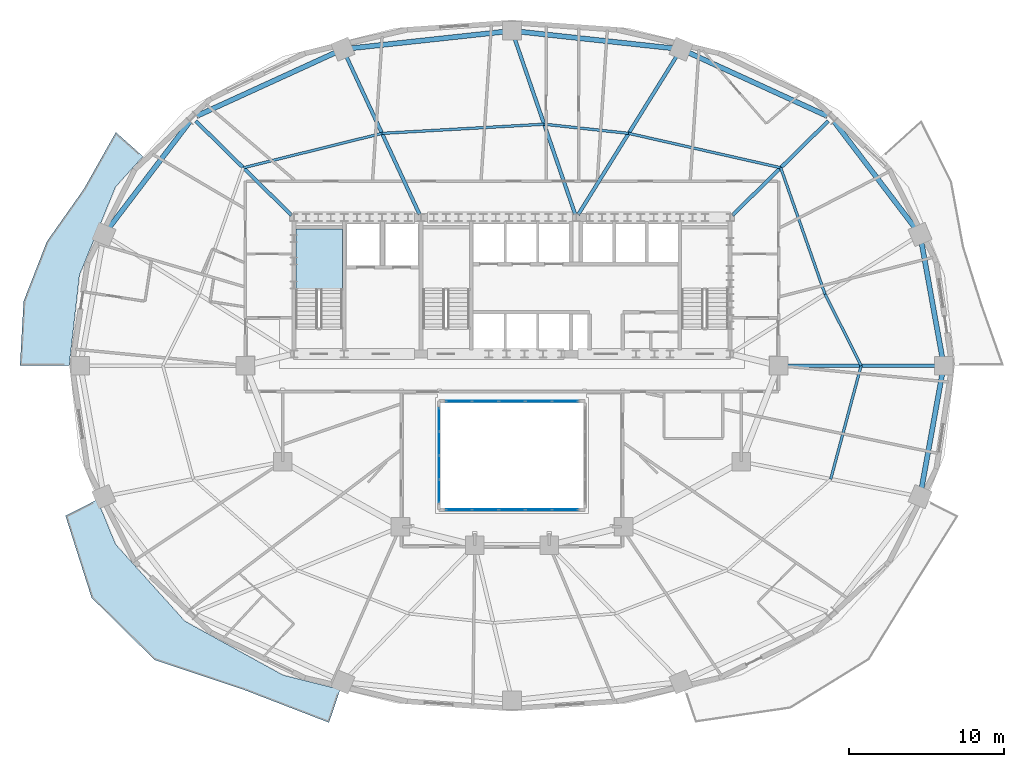
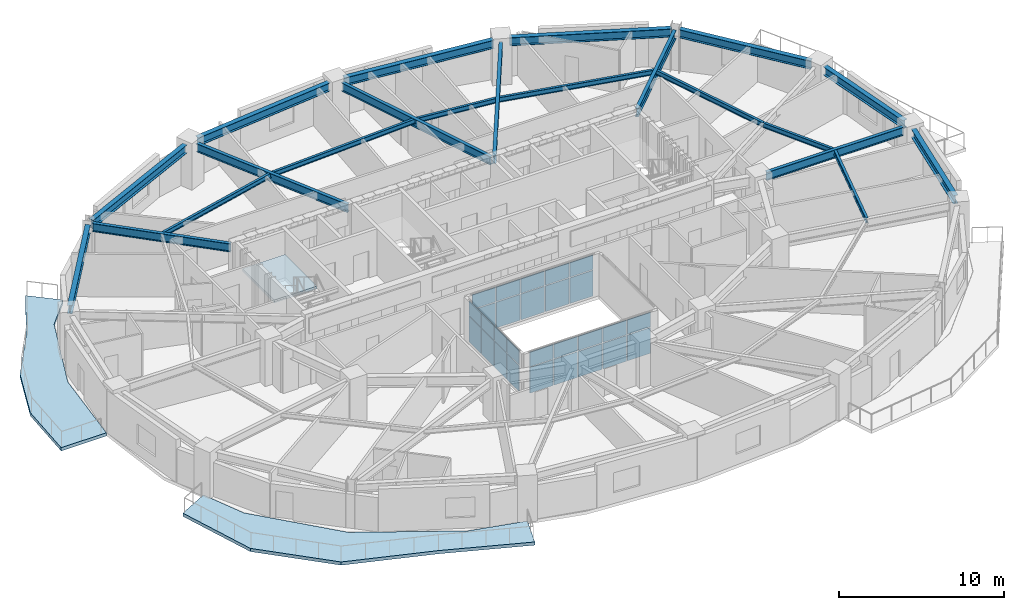
# One storey, part 5 of 14: 28 plates, 21 beams, 3 slabs, 4 elements without a shape of their own.
"""IFC4 building model written with IfcOpenShell, lengths in metres."""

from ifc_helpers import new_model, si_unit, direction, frame, origin, origin_2d, place, context, subcontext, project, spatial, polyline, rectangle, i_section, outline, extrude, material, layer, layer_set, material_profile, profile_set, type_object, element, aggregate, save


model = new_model("IFC4")

# Units and contexts
model_context = context("Model", 3, precision=1e-05, world=origin(), true_north=direction((0.0, 1.0)))
body_context = subcontext(model_context, "Body", "Model", "MODEL_VIEW")
ifc_project = project(units=[si_unit("LENGTHUNIT", "METRE"), si_unit("AREAUNIT", "SQUARE_METRE"), si_unit("VOLUMEUNIT", "CUBIC_METRE"), si_unit("PLANEANGLEUNIT", "RADIAN"), si_unit("MASSUNIT", "GRAM", prefix="KILO")], contexts=[model_context])

# Site, building, storey
site_placement = place(None, origin())
site = spatial("IfcSite", under=ifc_project, at=site_placement, CompositionType="ELEMENT")
building_placement = place(site_placement, origin())
building = spatial("IfcBuilding", under=site, at=building_placement, Name="Haldorwick Loom Tower", CompositionType="ELEMENT")
storey_placement = place(building_placement, frame((0.0, 0.0, 102.5)))
storey = spatial("IfcBuildingStorey", under=building, at=storey_placement, Name="L27", CompositionType="ELEMENT", Elevation=102.5)

# Beams
ifc_material_1 = material(Name="Steel CSA G40.21 350W", Category="steel")
ifc_material_profile_1 = material_profile(ifc_material_1, i_section(OverallWidth=0.172119140625, OverallDepth=0.35791015625, WebThickness=0.0078125, FlangeThickness=0.01318359375, at=origin_2d()), Name="W360X57", Category="steel")
ifc_profile_set_1 = profile_set([ifc_material_profile_1], Name="Steel CSA G40.21 350W")
beam_type_1 = type_object("IfcBeamType", Name="STR-BM-J360", PredefinedType="JOIST", material=ifc_profile_set_1)
beam_1_placement = place(storey_placement, frame((58.52880859375, 26.0, 2.990966796875), z_axis=(-0.451373231558, 0.892335254169, 0.0), x_axis=(-0.892335254169, -0.451373231558, 0.0)))
element("IfcBeam", 1, at=beam_1_placement, inside=storey, type_object=beam_type_1, Name="L27 Mid-Bay Secondary Joist 1", PredefinedType="JOIST", context=body_context, shape_type="SweptSolid", body=[
    extrude(i_section(OverallWidth=0.172119140625, OverallDepth=0.35791015625, WebThickness=0.0078125, FlangeThickness=0.01318359375, at=origin_2d()), origin(), (0.0, 0.0, 1.0), 5.158935546875),
])
beam_2_placement = place(storey_placement, frame((56.2001953125, 30.603515625, 2.990966796875), z_axis=(-0.330864603503, 0.943678236556, 0.0), x_axis=(-0.943678236556, -0.330864603503, 0.0)))
element("IfcBeam", 2, at=beam_2_placement, inside=storey, type_object=beam_type_1, Name="L27 Mid-Bay Secondary Joist 2", PredefinedType="JOIST", context=body_context, shape_type="SweptSolid", body=[
    extrude(i_section(OverallWidth=0.172119140625, OverallDepth=0.35791015625, WebThickness=0.0078125, FlangeThickness=0.01318359375, at=origin_2d()), origin(), (0.0, 0.0, 1.0), 8.6494140625),
])
beam_3_placement = place(storey_placement, frame((53.33837890625, 38.765869140625, 2.990966796875), z_axis=(-0.975380231772, 0.22052982444, 0.0), x_axis=(-0.22052982444, -0.975380231772, 0.0)))
element("IfcBeam", 3, at=beam_3_placement, inside=storey, type_object=beam_type_1, Name="L27 Mid-Bay Secondary Joist 3", PredefinedType="JOIST", context=body_context, shape_type="SweptSolid", body=[
    extrude(i_section(OverallWidth=0.172119140625, OverallDepth=0.35791015625, WebThickness=0.0078125, FlangeThickness=0.01318359375, at=origin_2d()), origin(), (0.0, 0.0, 1.0), 10.0576171875),
])
beam_4_placement = place(storey_placement, frame((43.5283203125, 40.98388671875, 2.990966796875), z_axis=(-0.994191869342, 0.107622148904, 0.0), x_axis=(-0.107622148904, -0.994191869342, 0.0)))
element("IfcBeam", 4, at=beam_4_placement, inside=storey, type_object=beam_type_1, Name="L27 Mid-Bay Secondary Joist 4", PredefinedType="JOIST", context=body_context, shape_type="SweptSolid", body=[
    extrude(i_section(OverallWidth=0.172119140625, OverallDepth=0.35791015625, WebThickness=0.0078125, FlangeThickness=0.01318359375, at=origin_2d()), origin(), (0.0, 0.0, 1.0), 5.485107421875),
])
beam_5_placement = place(storey_placement, frame((38.074951171875, 41.57421875, 2.990966796875), z_axis=(-0.998412171013, -0.056330602457, 0.0), x_axis=(0.056330602457, -0.998412171013, 0.0)))
element("IfcBeam", 5, at=beam_5_placement, inside=storey, type_object=beam_type_1, Name="L27 Mid-Bay Secondary Joist 5", PredefinedType="JOIST", context=body_context, shape_type="SweptSolid", body=[
    extrude(i_section(OverallWidth=0.172119140625, OverallDepth=0.35791015625, WebThickness=0.0078125, FlangeThickness=0.01318359375, at=origin_2d()), origin(), (0.0, 0.0, 1.0), 10.479736328125),
])
beam_6_placement = place(storey_placement, frame((27.61181640625, 40.98388671875, 2.990966796875), z_axis=(-0.970638838364, -0.240541567009, 0.0), x_axis=(0.240541567009, -0.970638838364, 0.0)))
element("IfcBeam", 6, at=beam_6_placement, inside=storey, type_object=beam_type_1, Name="L27 Mid-Bay Secondary Joist 6", PredefinedType="JOIST", context=body_context, shape_type="SweptSolid", body=[
    extrude(i_section(OverallWidth=0.172119140625, OverallDepth=0.35791015625, WebThickness=0.0078125, FlangeThickness=0.01318359375, at=origin_2d()), origin(), (0.0, 0.0, 1.0), 9.220947265625),
])
beam_7_placement = place(storey_placement, frame((56.565185546875, 18.67138671875, 2.990966796875), z_axis=(0.258810072536, 0.965928230436, 0.0), x_axis=(-0.965928230436, 0.258810072536, 0.0)))
element("IfcBeam", 7, at=beam_7_placement, inside=storey, type_object=beam_type_1, Name="L27 Mid-Bay Secondary Joist 16", PredefinedType="JOIST", context=body_context, shape_type="SweptSolid", body=[
    extrude(i_section(OverallWidth=0.172119140625, OverallDepth=0.35791015625, WebThickness=0.0078125, FlangeThickness=0.01318359375, at=origin_2d()), origin(), (0.0, 0.0, 1.0), 7.587158203125),
])
ifc_material_profile_2 = material_profile(ifc_material_1, i_section(OverallWidth=0.324951171875, OverallDepth=0.615966796875, WebThickness=0.013916015625, FlangeThickness=0.021484375, at=origin_2d()), Name="W610X174", Category="steel")
ifc_profile_set_2 = profile_set([ifc_material_profile_2], Name="Steel CSA G40.21 350W")
beam_type_2 = type_object("IfcBeamType", Name="STR-BM-SP610", PredefinedType="SPANDREL", material=ifc_profile_set_2)
beam_8_placement = place(storey_placement, frame((63.76513671875, 26.51171875, 2.862060546875), z_axis=(-0.177659490888, 0.984092020747, 0.0), x_axis=(-0.984092020747, -0.177659490888, 0.0)))
element("IfcBeam", 8, at=beam_8_placement, inside=storey, type_object=beam_type_2, Name="L27 Perimeter Spandrel 1", PredefinedType="SPANDREL", context=body_context, shape_type="SweptSolid", body=[
    extrude(i_section(OverallWidth=0.324951171875, OverallDepth=0.615966796875, WebThickness=0.013916015625, FlangeThickness=0.021484375, at=origin_2d()), origin(), (0.0, 0.0, 1.0), 7.553955078125),
])
beam_9_placement = place(storey_placement, frame((62.015869140625, 34.87109375, 2.862060546875), z_axis=(-0.605453508047, 0.795880675475, 0.0), x_axis=(-0.795880675475, -0.605453508047, 0.0)))
element("IfcBeam", 9, at=beam_9_placement, inside=storey, type_object=beam_type_2, Name="L27 Perimeter Spandrel 2", PredefinedType="SPANDREL", context=body_context, shape_type="SweptSolid", body=[
    extrude(i_section(OverallWidth=0.324951171875, OverallDepth=0.615966796875, WebThickness=0.013916015625, FlangeThickness=0.021484375, at=origin_2d()), origin(), (0.0, 0.0, 1.0), 8.6591796875),
])
beam_10_placement = place(storey_placement, frame((56.356689453125, 42.09619140625, 2.862060546875), z_axis=(-0.909423969306, 0.415870225011, 0.0), x_axis=(-0.415870225011, -0.909423969306, 0.0)))
element("IfcBeam", 10, at=beam_10_placement, inside=storey, type_object=beam_type_2, Name="L27 Perimeter Spandrel 3", PredefinedType="SPANDREL", context=body_context, shape_type="SweptSolid", body=[
    extrude(i_section(OverallWidth=0.324951171875, OverallDepth=0.615966796875, WebThickness=0.013916015625, FlangeThickness=0.021484375, at=origin_2d()), origin(), (0.0, 0.0, 1.0), 9.871337890625),
])
for number, where, z_axis, x_axis, name in (
    (11, (46.389404296875, 46.4736328125, 2.862060546875), (-0.994190135627, 0.107638163409, 0.0), (-0.107638163409, -0.994190135627, 0.0), "L27 Perimeter Spandrel 4"),
    (12, (35.48291015625, 47.54248046875, 2.862060546875), (-0.994190135627, -0.107638163409, 0.0), (0.107638163409, -0.994190135627, 0.0), "L27 Perimeter Spandrel 5"),
):
    element("IfcBeam", number, at=place(storey_placement, frame(where, z_axis=z_axis, x_axis=x_axis)), inside=storey, type_object=beam_type_2, Name=name, PredefinedType="SPANDREL", context=body_context, shape_type="SweptSolid", body=[
        extrude(i_section(OverallWidth=0.324951171875, OverallDepth=0.615966796875, WebThickness=0.013916015625, FlangeThickness=0.021484375, at=origin_2d()), origin(), (0.0, 0.0, 1.0), 9.929931640625),
    ])
beam_11_placement = place(storey_placement, frame((24.62060546875, 46.201416015625, 2.862060546875), z_axis=(-0.909423969306, -0.415870225011, 0.0), x_axis=(0.415870225011, -0.909423969306, 0.0)))
element("IfcBeam", 13, at=beam_11_placement, inside=storey, type_object=beam_type_2, Name="L27 Perimeter Spandrel 6", PredefinedType="SPANDREL", context=body_context, shape_type="SweptSolid", body=[
    extrude(i_section(OverallWidth=0.324951171875, OverallDepth=0.615966796875, WebThickness=0.013916015625, FlangeThickness=0.021484375, at=origin_2d()), origin(), (0.0, 0.0, 1.0), 9.871337890625),
])
beam_12_placement = place(storey_placement, frame((15.226806640625, 41.7626953125, 2.862060546875), z_axis=(-0.605453508047, -0.795880675475, 0.0), x_axis=(0.795880675475, -0.605453508047, 0.0)))
element("IfcBeam", 14, at=beam_12_placement, inside=storey, type_object=beam_type_2, Name="L27 Perimeter Spandrel 7", PredefinedType="SPANDREL", context=body_context, shape_type="SweptSolid", body=[
    extrude(i_section(OverallWidth=0.324951171875, OverallDepth=0.615966796875, WebThickness=0.013916015625, FlangeThickness=0.021484375, at=origin_2d()), origin(), (0.0, 0.0, 1.0), 8.6591796875),
])
beam_13_placement = place(storey_placement, frame((62.423095703125, 18.054443359375, 2.862060546875), z_axis=(0.177659490888, 0.984092020747, 0.0), x_axis=(-0.984092020747, 0.177659490888, 0.0)))
element("IfcBeam", 15, at=beam_13_placement, inside=storey, type_object=beam_type_2, Name="L27 Perimeter Spandrel 16", PredefinedType="SPANDREL", context=body_context, shape_type="SweptSolid", body=[
    extrude(i_section(OverallWidth=0.324951171875, OverallDepth=0.615966796875, WebThickness=0.013916015625, FlangeThickness=0.021484375, at=origin_2d()), origin(), (0.0, 0.0, 1.0), 7.553955078125),
])
ifc_material_profile_3 = material_profile(ifc_material_1, i_section(OverallWidth=0.22998046875, OverallDepth=0.616943359375, WebThickness=0.01318359375, FlangeThickness=0.022216796875, at=origin_2d()), Name="W610X140", Category="steel")
ifc_profile_set_3 = profile_set([ifc_material_profile_3], Name="Steel CSA G40.21 350W")
beam_type_3 = type_object("IfcBeamType", Name="STR-BM-W610B", PredefinedType="BEAM", material=ifc_profile_set_3)
beam_14_placement = place(storey_placement, frame((53.719970703125, 26.0, 2.861572265625), z_axis=(1.0, 0.0, 0.0), x_axis=(0.0, 1.0, 0.0)))
element("IfcBeam", 16, at=beam_14_placement, inside=storey, type_object=beam_type_3, Name="L27 Radial Floor Girder 1", PredefinedType="BEAM", context=body_context, shape_type="SweptSolid", body=[
    extrude(i_section(OverallWidth=0.22998046875, OverallDepth=0.616943359375, WebThickness=0.01318359375, FlangeThickness=0.022216796875, at=origin_2d()), origin(), (0.0, 0.0, 1.0), 9.61767578125),
])
beam_15_placement = place(storey_placement, frame((50.23046875, 35.707763671875, 2.861572265625), z_axis=(0.712813667541, 0.701353459653, 0.0), x_axis=(-0.701353459653, 0.712813667541, 0.0)))
element("IfcBeam", 17, at=beam_15_placement, inside=storey, type_object=beam_type_3, Name="L27 Radial Floor Girder 3", PredefinedType="BEAM", context=body_context, shape_type="SweptSolid", body=[
    extrude(i_section(OverallWidth=0.22998046875, OverallDepth=0.616943359375, WebThickness=0.01318359375, FlangeThickness=0.022216796875, at=origin_2d()), origin(), (0.0, 0.0, 1.0), 8.67041015625),
])
beam_16_placement = place(storey_placement, frame((40.268798828125, 35.7412109375, 2.861572265625), z_axis=(0.527983484361, 0.849254638046, 0.0), x_axis=(-0.849254638046, 0.527983484361, 0.0)))
element("IfcBeam", 18, at=beam_16_placement, inside=storey, type_object=beam_type_3, Name="L27 Radial Floor Girder 4", PredefinedType="BEAM", context=body_context, shape_type="SweptSolid", body=[
    extrude(i_section(OverallWidth=0.22998046875, OverallDepth=0.616943359375, WebThickness=0.01318359375, FlangeThickness=0.022216796875, at=origin_2d()), origin(), (0.0, 0.0, 1.0), 12.051513671875),
])
beam_17_placement = place(storey_placement, frame((40.07666015625, 35.7626953125, 2.861572265625), z_axis=(-0.325673980289, 0.945482130218, 0.0), x_axis=(-0.945482130218, -0.325673980289, 0.0)))
element("IfcBeam", 19, at=beam_17_placement, inside=storey, type_object=beam_type_3, Name="L27 Radial Floor Girder 5", PredefinedType="BEAM", context=body_context, shape_type="SweptSolid", body=[
    extrude(i_section(OverallWidth=0.22998046875, OverallDepth=0.616943359375, WebThickness=0.01318359375, FlangeThickness=0.022216796875, at=origin_2d()), origin(), (0.0, 0.0, 1.0), 11.998046875),
])
beam_18_placement = place(storey_placement, frame((30.035400390625, 35.754150390625, 2.861572265625), z_axis=(-0.420492432459, 0.907296045536, 0.0), x_axis=(-0.907296045536, -0.420492432459, 0.0)))
element("IfcBeam", 20, at=beam_18_placement, inside=storey, type_object=beam_type_3, Name="L27 Radial Floor Girder 6", PredefinedType="BEAM", context=body_context, shape_type="SweptSolid", body=[
    extrude(i_section(OverallWidth=0.22998046875, OverallDepth=0.616943359375, WebThickness=0.01318359375, FlangeThickness=0.022216796875, at=origin_2d()), origin(), (0.0, 0.0, 1.0), 11.23291015625),
])
beam_19_placement = place(storey_placement, frame((21.76953125, 35.707763671875, 2.861572265625), z_axis=(-0.712813667541, 0.701353459653, 0.0), x_axis=(-0.701353459653, -0.712813667541, 0.0)))
element("IfcBeam", 21, at=beam_19_placement, inside=storey, type_object=beam_type_3, Name="L27 Radial Floor Girder 7", PredefinedType="BEAM", context=body_context, shape_type="SweptSolid", body=[
    extrude(i_section(OverallWidth=0.22998046875, OverallDepth=0.616943359375, WebThickness=0.01318359375, FlangeThickness=0.022216796875, at=origin_2d()), origin(), (0.0, 0.0, 1.0), 8.67041015625),
])

# Curtain wall, plates
ifc_material_2 = material(Name="Thermally Broken Anodized Aluminium Curtain Wall Framing", Category="aluminium")
curtain_wall_type = type_object("IfcCurtainWallType", Name="ARC-CW-03", PredefinedType="NOTDEFINED", material=ifc_material_2)
curtain_wall_1_placement = place(storey_placement, origin())
curtain_wall_1 = element("IfcCurtainWall", 22, at=curtain_wall_1_placement, inside=storey, type_object=curtain_wall_type, Name="L27 Atrium Glazed Screen S", PredefinedType="NOTDEFINED")
ifc_material_3 = material(Name="Triple-Glazed Low-E Argon Insulated Glazing Unit", Category="glass")
ifc_layer_1 = layer(ifc_material_3, 0.04296875, Name="Triple-Glazed Low-E Argon Insulated Glazing Unit", Category="glass")
ifc_layer_set_1 = layer_set([ifc_layer_1], Name="Triple-Glazed Low-E Argon Insulated Glazing Unit")
plate_type = type_object("IfcPlateType", Name="ARC-CWP-03", PredefinedType="CURTAIN_PANEL", material=ifc_layer_set_1)
plate_1_placement = place(storey_placement, frame((39.423583984375, 16.699951171875, 0.066162109375), z_axis=(0.0, 0.0, 1.0), x_axis=(-1.0, 0.0, 0.0)))
plate_1 = element("IfcPlate", 23, at=plate_1_placement, type_object=plate_type, Name="CW-03 panel 1.1", PredefinedType="CURTAIN_PANEL", context=body_context, shape_type="SweptSolid", body=[
    extrude(rectangle(XDim=1.62109375, YDim=0.04296875, at=origin_2d()), origin(), (0.0, 0.0, 1.0), 1.90087890625),
])
plate_2_placement = place(storey_placement, frame((39.423583984375, 16.699951171875, 2.033203125), z_axis=(0.0, 0.0, 1.0), x_axis=(-1.0, 0.0, 0.0)))
plate_2 = element("IfcPlate", 24, at=plate_2_placement, type_object=plate_type, Name="CW-03 panel 1.2", PredefinedType="CURTAIN_PANEL", context=body_context, shape_type="SweptSolid", body=[
    extrude(rectangle(XDim=1.62109375, YDim=0.04296875, at=origin_2d()), origin(), (0.0, 0.0, 1.0), 1.071044921875),
])
plate_3_placement = place(storey_placement, frame((37.719970703125, 16.699951171875, 0.066162109375), z_axis=(0.0, 0.0, 1.0), x_axis=(-1.0, 0.0, 0.0)))
plate_3 = element("IfcPlate", 25, at=plate_3_placement, type_object=plate_type, Name="CW-03 panel 2.1", PredefinedType="CURTAIN_PANEL", context=body_context, shape_type="SweptSolid", body=[
    extrude(rectangle(XDim=1.654052734375, YDim=0.04296875, at=origin_2d()), origin(), (0.0, 0.0, 1.0), 1.90087890625),
])
plate_4_placement = place(storey_placement, frame((37.719970703125, 16.699951171875, 2.033203125), z_axis=(0.0, 0.0, 1.0), x_axis=(-1.0, 0.0, 0.0)))
plate_4 = element("IfcPlate", 26, at=plate_4_placement, type_object=plate_type, Name="CW-03 panel 2.2", PredefinedType="CURTAIN_PANEL", context=body_context, shape_type="SweptSolid", body=[
    extrude(rectangle(XDim=1.654052734375, YDim=0.04296875, at=origin_2d()), origin(), (0.0, 0.0, 1.0), 1.071044921875),
])
plate_5_placement = place(storey_placement, frame((36.0, 16.699951171875, 0.066162109375), z_axis=(0.0, 0.0, 1.0), x_axis=(-1.0, 0.0, 0.0)))
plate_5 = element("IfcPlate", 27, at=plate_5_placement, type_object=plate_type, Name="CW-03 panel 3.1", PredefinedType="CURTAIN_PANEL", context=body_context, shape_type="SweptSolid", body=[
    extrude(rectangle(XDim=1.654052734375, YDim=0.04296875, at=origin_2d()), origin(), (0.0, 0.0, 1.0), 1.90087890625),
])
plate_6_placement = place(storey_placement, frame((36.0, 16.699951171875, 2.033203125), z_axis=(0.0, 0.0, 1.0), x_axis=(-1.0, 0.0, 0.0)))
plate_6 = element("IfcPlate", 28, at=plate_6_placement, type_object=plate_type, Name="CW-03 panel 3.2", PredefinedType="CURTAIN_PANEL", context=body_context, shape_type="SweptSolid", body=[
    extrude(rectangle(XDim=1.654052734375, YDim=0.04296875, at=origin_2d()), origin(), (0.0, 0.0, 1.0), 1.071044921875),
])
plate_7_placement = place(storey_placement, frame((34.280029296875, 16.699951171875, 0.066162109375), z_axis=(0.0, 0.0, 1.0), x_axis=(-1.0, 0.0, 0.0)))
plate_7 = element("IfcPlate", 29, at=plate_7_placement, type_object=plate_type, Name="CW-03 panel 4.1", PredefinedType="CURTAIN_PANEL", context=body_context, shape_type="SweptSolid", body=[
    extrude(rectangle(XDim=1.654052734375, YDim=0.04296875, at=origin_2d()), origin(), (0.0, 0.0, 1.0), 1.90087890625),
])
plate_8_placement = place(storey_placement, frame((34.280029296875, 16.699951171875, 2.033203125), z_axis=(0.0, 0.0, 1.0), x_axis=(-1.0, 0.0, 0.0)))
plate_8 = element("IfcPlate", 30, at=plate_8_placement, type_object=plate_type, Name="CW-03 panel 4.2", PredefinedType="CURTAIN_PANEL", context=body_context, shape_type="SweptSolid", body=[
    extrude(rectangle(XDim=1.654052734375, YDim=0.04296875, at=origin_2d()), origin(), (0.0, 0.0, 1.0), 1.071044921875),
])
plate_9_placement = place(storey_placement, frame((32.576416015625, 16.699951171875, 0.066162109375), z_axis=(0.0, 0.0, 1.0), x_axis=(-1.0, 0.0, 0.0)))
plate_9 = element("IfcPlate", 31, at=plate_9_placement, type_object=plate_type, Name="CW-03 panel 5.1", PredefinedType="CURTAIN_PANEL", context=body_context, shape_type="SweptSolid", body=[
    extrude(rectangle(XDim=1.62109375, YDim=0.04296875, at=origin_2d()), origin(), (0.0, 0.0, 1.0), 1.90087890625),
])
plate_10_placement = place(storey_placement, frame((32.576416015625, 16.699951171875, 2.033203125), z_axis=(0.0, 0.0, 1.0), x_axis=(-1.0, 0.0, 0.0)))
plate_10 = element("IfcPlate", 32, at=plate_10_placement, type_object=plate_type, Name="CW-03 panel 5.2", PredefinedType="CURTAIN_PANEL", context=body_context, shape_type="SweptSolid", body=[
    extrude(rectangle(XDim=1.62109375, YDim=0.04296875, at=origin_2d()), origin(), (0.0, 0.0, 1.0), 1.071044921875),
])
aggregate(curtain_wall_1, [plate_1, plate_2, plate_3, plate_4, plate_5, plate_6, plate_7, plate_8, plate_9, plate_10])

curtain_wall_2_placement = place(storey_placement, origin())
curtain_wall_2 = element("IfcCurtainWall", 33, at=curtain_wall_2_placement, inside=storey, type_object=curtain_wall_type, Name="L27 Atrium Glazed Screen N", PredefinedType="NOTDEFINED")
plate_11_placement = place(storey_placement, frame((32.576416015625, 23.699951171875, 0.066162109375), z_axis=(0.0, 0.0, 1.0), x_axis=(1.0, 0.0, 0.0)))
plate_11 = element("IfcPlate", 34, at=plate_11_placement, type_object=plate_type, Name="CW-03 panel 1.1", PredefinedType="CURTAIN_PANEL", context=body_context, shape_type="SweptSolid", body=[
    extrude(rectangle(XDim=1.62109375, YDim=0.04296875, at=origin_2d()), origin(), (0.0, 0.0, 1.0), 1.90087890625),
])
plate_12_placement = place(storey_placement, frame((32.576416015625, 23.699951171875, 2.033203125), z_axis=(0.0, 0.0, 1.0), x_axis=(1.0, 0.0, 0.0)))
plate_12 = element("IfcPlate", 35, at=plate_12_placement, type_object=plate_type, Name="CW-03 panel 1.2", PredefinedType="CURTAIN_PANEL", context=body_context, shape_type="SweptSolid", body=[
    extrude(rectangle(XDim=1.62109375, YDim=0.04296875, at=origin_2d()), origin(), (0.0, 0.0, 1.0), 1.071044921875),
])
plate_13_placement = place(storey_placement, frame((34.280029296875, 23.699951171875, 0.066162109375), z_axis=(0.0, 0.0, 1.0), x_axis=(1.0, 0.0, 0.0)))
plate_13 = element("IfcPlate", 36, at=plate_13_placement, type_object=plate_type, Name="CW-03 panel 2.1", PredefinedType="CURTAIN_PANEL", context=body_context, shape_type="SweptSolid", body=[
    extrude(rectangle(XDim=1.654052734375, YDim=0.04296875, at=origin_2d()), origin(), (0.0, 0.0, 1.0), 1.90087890625),
])
plate_14_placement = place(storey_placement, frame((34.280029296875, 23.699951171875, 2.033203125), z_axis=(0.0, 0.0, 1.0), x_axis=(1.0, 0.0, 0.0)))
plate_14 = element("IfcPlate", 37, at=plate_14_placement, type_object=plate_type, Name="CW-03 panel 2.2", PredefinedType="CURTAIN_PANEL", context=body_context, shape_type="SweptSolid", body=[
    extrude(rectangle(XDim=1.654052734375, YDim=0.04296875, at=origin_2d()), origin(), (0.0, 0.0, 1.0), 1.071044921875),
])
plate_15_placement = place(storey_placement, frame((36.0, 23.699951171875, 0.066162109375), z_axis=(0.0, 0.0, 1.0), x_axis=(1.0, 0.0, 0.0)))
plate_15 = element("IfcPlate", 38, at=plate_15_placement, type_object=plate_type, Name="CW-03 panel 3.1", PredefinedType="CURTAIN_PANEL", context=body_context, shape_type="SweptSolid", body=[
    extrude(rectangle(XDim=1.654052734375, YDim=0.04296875, at=origin_2d()), origin(), (0.0, 0.0, 1.0), 1.90087890625),
])
plate_16_placement = place(storey_placement, frame((36.0, 23.699951171875, 2.033203125), z_axis=(0.0, 0.0, 1.0), x_axis=(1.0, 0.0, 0.0)))
plate_16 = element("IfcPlate", 39, at=plate_16_placement, type_object=plate_type, Name="CW-03 panel 3.2", PredefinedType="CURTAIN_PANEL", context=body_context, shape_type="SweptSolid", body=[
    extrude(rectangle(XDim=1.654052734375, YDim=0.04296875, at=origin_2d()), origin(), (0.0, 0.0, 1.0), 1.071044921875),
])
plate_17_placement = place(storey_placement, frame((37.719970703125, 23.699951171875, 0.066162109375), z_axis=(0.0, 0.0, 1.0), x_axis=(1.0, 0.0, 0.0)))
plate_17 = element("IfcPlate", 40, at=plate_17_placement, type_object=plate_type, Name="CW-03 panel 4.1", PredefinedType="CURTAIN_PANEL", context=body_context, shape_type="SweptSolid", body=[
    extrude(rectangle(XDim=1.654052734375, YDim=0.04296875, at=origin_2d()), origin(), (0.0, 0.0, 1.0), 1.90087890625),
])
plate_18_placement = place(storey_placement, frame((37.719970703125, 23.699951171875, 2.033203125), z_axis=(0.0, 0.0, 1.0), x_axis=(1.0, 0.0, 0.0)))
plate_18 = element("IfcPlate", 41, at=plate_18_placement, type_object=plate_type, Name="CW-03 panel 4.2", PredefinedType="CURTAIN_PANEL", context=body_context, shape_type="SweptSolid", body=[
    extrude(rectangle(XDim=1.654052734375, YDim=0.04296875, at=origin_2d()), origin(), (0.0, 0.0, 1.0), 1.071044921875),
])
plate_19_placement = place(storey_placement, frame((39.423583984375, 23.699951171875, 0.066162109375), z_axis=(0.0, 0.0, 1.0), x_axis=(1.0, 0.0, 0.0)))
plate_19 = element("IfcPlate", 42, at=plate_19_placement, type_object=plate_type, Name="CW-03 panel 5.1", PredefinedType="CURTAIN_PANEL", context=body_context, shape_type="SweptSolid", body=[
    extrude(rectangle(XDim=1.62109375, YDim=0.04296875, at=origin_2d()), origin(), (0.0, 0.0, 1.0), 1.90087890625),
])
plate_20_placement = place(storey_placement, frame((39.423583984375, 23.699951171875, 2.033203125), z_axis=(0.0, 0.0, 1.0), x_axis=(1.0, 0.0, 0.0)))
plate_20 = element("IfcPlate", 43, at=plate_20_placement, type_object=plate_type, Name="CW-03 panel 5.2", PredefinedType="CURTAIN_PANEL", context=body_context, shape_type="SweptSolid", body=[
    extrude(rectangle(XDim=1.62109375, YDim=0.04296875, at=origin_2d()), origin(), (0.0, 0.0, 1.0), 1.071044921875),
])
aggregate(curtain_wall_2, [plate_11, plate_12, plate_13, plate_14, plate_15, plate_16, plate_17, plate_18, plate_19, plate_20])

curtain_wall_3_placement = place(storey_placement, origin())
curtain_wall_3 = element("IfcCurtainWall", 44, at=curtain_wall_3_placement, inside=storey, type_object=curtain_wall_type, Name="L27 Atrium Glazed Screen W", PredefinedType="NOTDEFINED")
plate_21_placement = place(storey_placement, frame((31.300048828125, 17.8916015625, 0.066162109375), z_axis=(0.0, 0.0, 1.0), x_axis=(0.0, 1.0, 0.0)))
plate_21 = element("IfcPlate", 45, at=plate_21_placement, type_object=plate_type, Name="CW-03 panel 1.1", PredefinedType="CURTAIN_PANEL", context=body_context, shape_type="SweptSolid", body=[
    extrude(rectangle(XDim=1.450927734375, YDim=0.04296875, at=origin_2d()), origin(), (0.0, 0.0, 1.0), 1.90087890625),
])
plate_22_placement = place(storey_placement, frame((31.300048828125, 17.8916015625, 2.033203125), z_axis=(0.0, 0.0, 1.0), x_axis=(0.0, 1.0, 0.0)))
plate_22 = element("IfcPlate", 46, at=plate_22_placement, type_object=plate_type, Name="CW-03 panel 1.2", PredefinedType="CURTAIN_PANEL", context=body_context, shape_type="SweptSolid", body=[
    extrude(rectangle(XDim=1.450927734375, YDim=0.04296875, at=origin_2d()), origin(), (0.0, 0.0, 1.0), 1.071044921875),
])
plate_23_placement = place(storey_placement, frame((31.300048828125, 19.425048828125, 0.066162109375), z_axis=(0.0, 0.0, 1.0), x_axis=(0.0, 1.0, 0.0)))
plate_23 = element("IfcPlate", 47, at=plate_23_placement, type_object=plate_type, Name="CW-03 panel 2.1", PredefinedType="CURTAIN_PANEL", context=body_context, shape_type="SweptSolid", body=[
    extrude(rectangle(XDim=1.48388671875, YDim=0.04296875, at=origin_2d()), origin(), (0.0, 0.0, 1.0), 1.90087890625),
])
plate_24_placement = place(storey_placement, frame((31.300048828125, 19.425048828125, 2.033203125), z_axis=(0.0, 0.0, 1.0), x_axis=(0.0, 1.0, 0.0)))
plate_24 = element("IfcPlate", 48, at=plate_24_placement, type_object=plate_type, Name="CW-03 panel 2.2", PredefinedType="CURTAIN_PANEL", context=body_context, shape_type="SweptSolid", body=[
    extrude(rectangle(XDim=1.48388671875, YDim=0.04296875, at=origin_2d()), origin(), (0.0, 0.0, 1.0), 1.071044921875),
])
plate_25_placement = place(storey_placement, frame((31.300048828125, 20.97509765625, 0.066162109375), z_axis=(0.0, 0.0, 1.0), x_axis=(0.0, 1.0, 0.0)))
plate_25 = element("IfcPlate", 49, at=plate_25_placement, type_object=plate_type, Name="CW-03 panel 3.1", PredefinedType="CURTAIN_PANEL", context=body_context, shape_type="SweptSolid", body=[
    extrude(rectangle(XDim=1.48388671875, YDim=0.04296875, at=origin_2d()), origin(), (0.0, 0.0, 1.0), 1.90087890625),
])
plate_26_placement = place(storey_placement, frame((31.300048828125, 20.97509765625, 2.033203125), z_axis=(0.0, 0.0, 1.0), x_axis=(0.0, 1.0, 0.0)))
plate_26 = element("IfcPlate", 50, at=plate_26_placement, type_object=plate_type, Name="CW-03 panel 3.2", PredefinedType="CURTAIN_PANEL", context=body_context, shape_type="SweptSolid", body=[
    extrude(rectangle(XDim=1.48388671875, YDim=0.04296875, at=origin_2d()), origin(), (0.0, 0.0, 1.0), 1.071044921875),
])
plate_27_placement = place(storey_placement, frame((31.300048828125, 22.508544921875, 0.066162109375), z_axis=(0.0, 0.0, 1.0), x_axis=(0.0, 1.0, 0.0)))
plate_27 = element("IfcPlate", 51, at=plate_27_placement, type_object=plate_type, Name="CW-03 panel 4.1", PredefinedType="CURTAIN_PANEL", context=body_context, shape_type="SweptSolid", body=[
    extrude(rectangle(XDim=1.450927734375, YDim=0.04296875, at=origin_2d()), origin(), (0.0, 0.0, 1.0), 1.90087890625),
])
plate_28_placement = place(storey_placement, frame((31.300048828125, 22.508544921875, 2.033203125), z_axis=(0.0, 0.0, 1.0), x_axis=(0.0, 1.0, 0.0)))
plate_28 = element("IfcPlate", 52, at=plate_28_placement, type_object=plate_type, Name="CW-03 panel 4.2", PredefinedType="CURTAIN_PANEL", context=body_context, shape_type="SweptSolid", body=[
    extrude(rectangle(XDim=1.450927734375, YDim=0.04296875, at=origin_2d()), origin(), (0.0, 0.0, 1.0), 1.071044921875),
])
aggregate(curtain_wall_3, [plate_21, plate_22, plate_23, plate_24, plate_25, plate_26, plate_27, plate_28])

# Slabs
ifc_material_4 = material(Name="Concrete C40 (40 MPa)", Category="concrete")
ifc_layer_2 = layer(ifc_material_4, 0.239990234375, Name="Concrete C40 (40 MPa)", Category="concrete")
ifc_layer_set_2 = layer_set([ifc_layer_2], Name="Concrete C40 (40 MPa)")
slab_type_1 = type_object("IfcSlabType", Name="STR-SLB-BAL240", PredefinedType="FLOOR", material=ifc_layer_set_2)
slab_1_placement = place(storey_placement, frame((0.0, 0.0, -0.239990234375)))
element("IfcSlab", 53, at=slab_1_placement, inside=storey, type_object=slab_type_1, Name="L27 Sinusoidal Balcony Terrace BAL_SW", PredefinedType="FLOOR", context=body_context, shape_type="SweptSolid", body=[
    extrude(outline(polyline([(24.91259765625, 5.105224609375), (21.23583984375, 6.022705078125), (21.234619140625, 6.023193359375), (21.2333984375, 6.023681640625), (21.232177734375, 6.0244140625), (14.89111328125, 9.51025390625), (14.8896484375, 9.510986328125), (14.88818359375, 9.51220703125), (14.88720703125, 9.51318359375), (10.4228515625, 14.464599609375), (10.421875, 14.465576171875), (10.421142578125, 14.466552734375), (10.420654296875, 14.4677734375), (10.419921875, 14.468994140625), (9.2412109375, 17.34912109375), (7.192626953125, 16.303955078125), (8.8740234375, 11.02294921875), (12.93603515625, 7.01025390625), (18.6640625, 5.097412109375), (24.18798828125, 2.964599609375), (24.91259765625, 5.105224609375)])), origin(), (0.0, 0.0, 1.0), 0.239990234375),
])
slab_2_placement = place(storey_placement, frame((0.0, 0.0, -0.239990234375)))
element("IfcSlab", 54, at=slab_2_placement, inside=storey, type_object=slab_type_1, Name="L27 Sinusoidal Balcony Terrace BAL_WNW", PredefinedType="FLOOR", context=body_context, shape_type="SweptSolid", body=[
    extrude(outline(polyline([(7.427490234375, 26.0), (7.427490234375, 26.001708984375), (8.09033203125, 31.837890625), (8.090576171875, 31.83935546875), (8.0908203125, 31.840576171875), (8.09130859375, 31.841796875), (10.419921875, 37.531005859375), (10.420654296875, 37.5322265625), (10.421142578125, 37.533447265625), (10.421875, 37.534423828125), (10.4228515625, 37.535400390625), (12.186279296875, 39.4912109375), (10.439697265625, 41.05126953125), (8.35986328125, 37.364990234375), (5.98974609375, 34.008056640625), (4.48779296875, 30.1494140625), (4.25390625, 26.0), (7.427490234375, 26.0)])), origin(), (0.0, 0.0, 1.0), 0.239990234375),
])

# Stair, slab
stair_type = type_object("IfcStairType", Name="STR-STR-CORE", PredefinedType="HALF_TURN_STAIR", material=ifc_material_4)
stair_placement = place(storey_placement, origin())
stair = element("IfcStair", 55, at=stair_placement, inside=storey, type_object=stair_type, Name="L27 Exit Stair ST-01", PredefinedType="HALF_TURN_STAIR")
ifc_layer_3 = layer(ifc_material_4, 0.199951171875, Name="Concrete C40 (40 MPa)", Category="concrete")
ifc_layer_set_3 = layer_set([ifc_layer_3], Name="Concrete C40 (40 MPa)")
slab_type_2 = type_object("IfcSlabType", Name="STR-SLB-LAND200", PredefinedType="LANDING", material=ifc_layer_set_3)
slab_3_placement = place(storey_placement, frame((0.0, 0.0, 1.52490234375)))
slab_3 = element("IfcSlab", 56, at=slab_3_placement, type_object=slab_type_2, Name="ST-01 landing 1", PredefinedType="LANDING", context=body_context, shape_type="SweptSolid", body=[
    extrude(outline(polyline([(25.050048828125, 30.919921875), (25.050048828125, 34.800048828125), (22.050048828125, 34.800048828125), (22.050048828125, 30.919921875), (25.050048828125, 30.919921875)])), origin(), (0.0, 0.0, 1.0), 0.2001953125),
])
aggregate(stair, [slab_3])

save(model, "model.ifc")
